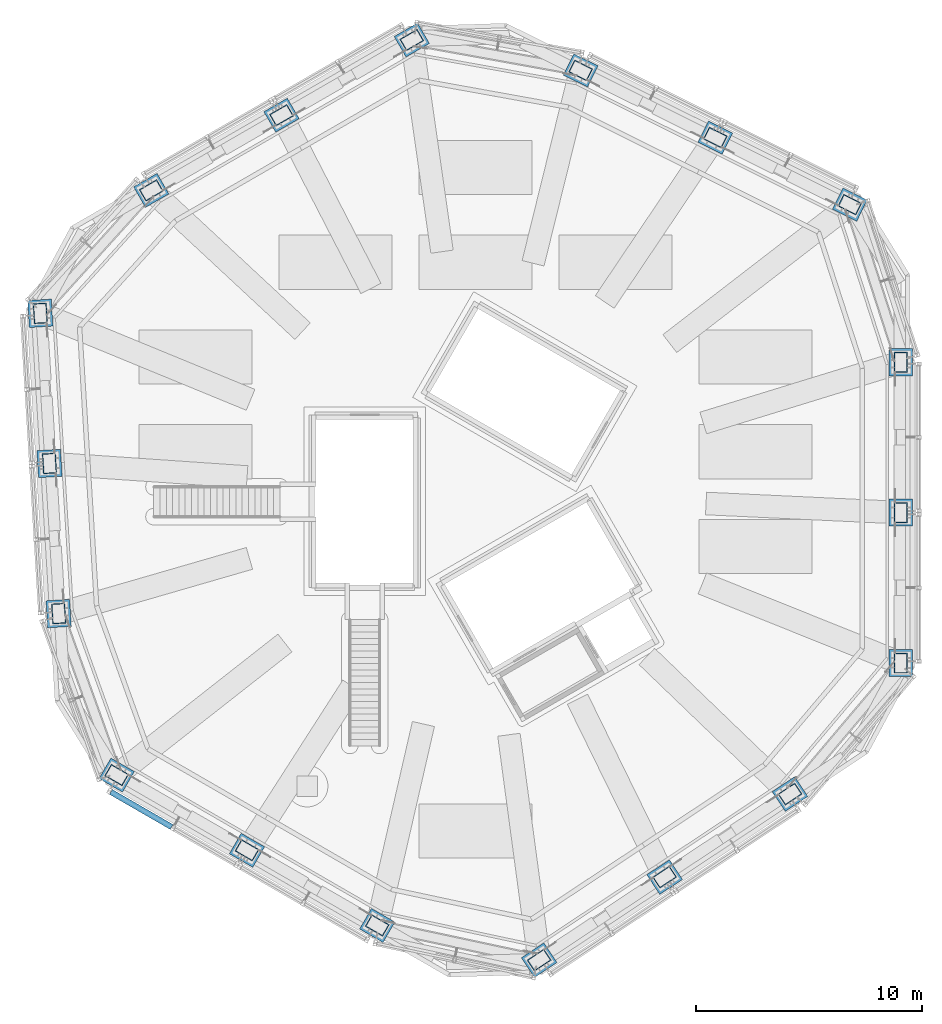
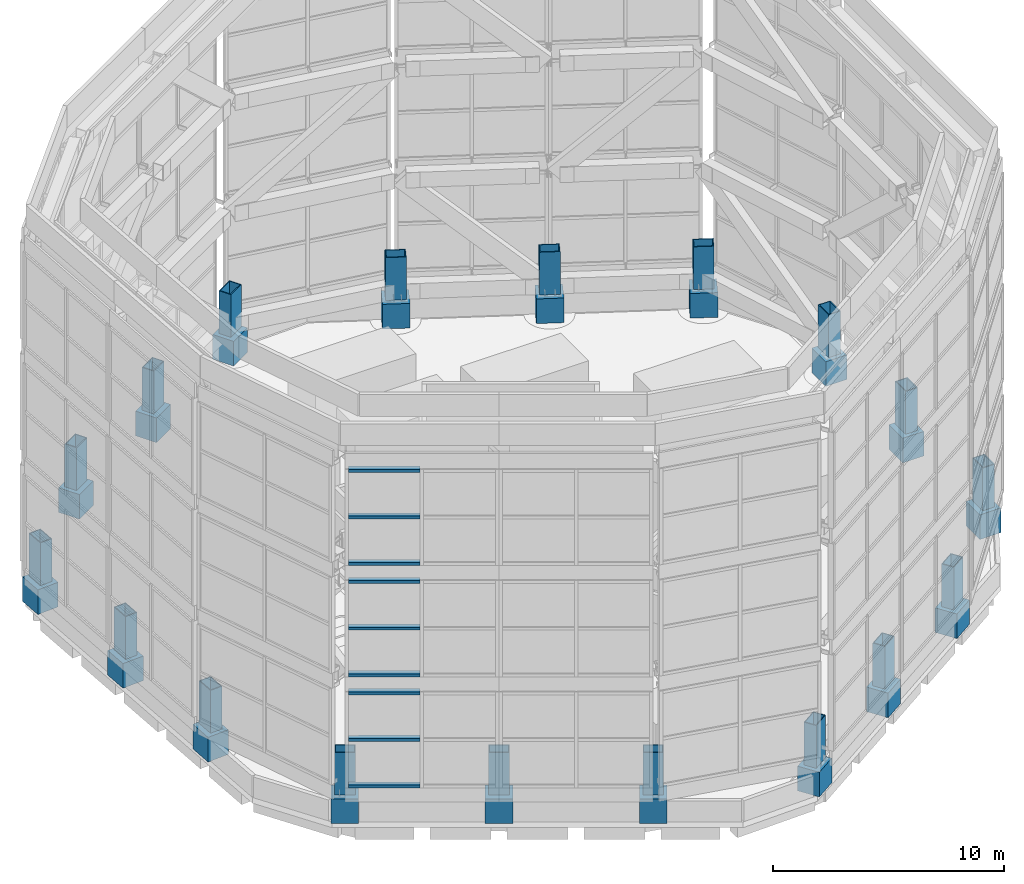
# One storey, part 1 of 46: 36 columns, 9 members, 3 elements without a shape of their own.
"""IFC4 building model written with IfcOpenShell, lengths in metres."""

import ifcopenshell
import ifcopenshell.guid

model = None  # the IFC model being written
_history = None  # IfcOwnerHistory: only IFC2X3 demands one
_inside = {}  # id of a spatial element -> (the spatial element, [elements in it])
_under = {}  # id of a project, library or spatial element -> (it, [spatial elements below it])
_declared = {}  # id of a project -> (the project, [libraries it declares])
_typed = {}  # id of a type object -> (the type object, [elements of that type])
_made_of = {}  # id of a material, layer set ... -> (it, [elements and type objects made of it])


def new_model(schema):
    """Start an empty IFC model of exactly this schema.

    Asked for "IFC4X3", IfcOpenShell would pick the latest addendum, in which some entities
    have other attributes; the version numbers below select the first issue.
    IFC2X3 requires an IfcOwnerHistory on every rooted entity: one is made here for all.
    """
    global model, _history
    if schema == "IFC4X3":
        model = ifcopenshell.file(schema_version=(4, 3, 0, 0))
    else:
        model = ifcopenshell.file(schema=schema)
    _inside.clear()
    _under.clear()
    _declared.clear()
    _typed.clear()
    _made_of.clear()
    _history = None
    if model.schema == "IFC2X3":
        org = make("IfcOrganization", Name="unknown")
        user = make(
            "IfcPersonAndOrganization",
            ThePerson=make("IfcPerson", FamilyName="unknown"),
            TheOrganization=org,
        )
        app = make(
            "IfcApplication",
            ApplicationDeveloper=org,
            Version="unknown",
            ApplicationFullName="unknown",
            ApplicationIdentifier="unknown",
        )
        _history = make(
            "IfcOwnerHistory",
            OwningUser=user,
            OwningApplication=app,
            ChangeAction="ADDED",
            CreationDate=0,
        )
    return model


def make(cls, **values):
    """One entity of the class cls with the attributes given. An attribute that is None is left unset."""
    return model.create_entity(
        cls, **{name: value for name, value in values.items() if value is not None}
    )


def rooted(cls, **values):
    """An entity with a GlobalId (a new one), such as an element, a storey or a relation."""
    return make(cls, GlobalId=ifcopenshell.guid.new(), OwnerHistory=_history, **values)


def si_unit(unit_type, name, prefix=None):
    """IfcSIUnit, for example si_unit("LENGTHUNIT", "METRE", prefix="MILLI")."""
    return make("IfcSIUnit", UnitType=unit_type, Prefix=prefix, Name=name)


def assignment(units):
    """IfcUnitAssignment: the units of a project."""
    return None if units is None else make("IfcUnitAssignment", Units=units)


def point(xyz):
    """IfcCartesianPoint."""
    return None if xyz is None else make("IfcCartesianPoint", Coordinates=xyz)


def direction(xyz):
    """IfcDirection."""
    return None if xyz is None else make("IfcDirection", DirectionRatios=xyz)


def frame(location, z_axis=None, x_axis=None):
    """IfcAxis2Placement3D, a coordinate frame: its origin and axes. An axis left out is left unset."""
    return make(
        "IfcAxis2Placement3D",
        Location=point(location),
        Axis=direction(z_axis),
        RefDirection=direction(x_axis),
    )


def frame_2d(location, x_axis=None):
    """IfcAxis2Placement2D, a coordinate frame in the plane: its origin and x axis."""
    return make(
        "IfcAxis2Placement2D", Location=point(location), RefDirection=direction(x_axis)
    )


def origin():
    """The frame at (0, 0, 0) with its axes left unset."""
    return frame((0.0, 0.0, 0.0))


def origin_2d():
    """The frame at (0, 0) in the plane with its x axis left unset."""
    return frame_2d((0.0, 0.0))


def place(relative_to, where):
    """IfcLocalPlacement: puts the frame where relative to a parent placement (None: the world)."""
    return make(
        "IfcLocalPlacement", PlacementRelTo=relative_to, RelativePlacement=where
    )


def context(
    kind, dimensions, precision=None, world=None, true_north=None, identifier=None
):
    """IfcGeometricRepresentationContext, for example the 3D "Model" context."""
    return make(
        "IfcGeometricRepresentationContext",
        ContextIdentifier=identifier,
        ContextType=kind,
        CoordinateSpaceDimension=dimensions,
        Precision=precision,
        WorldCoordinateSystem=world,
        TrueNorth=true_north,
    )


def subcontext(parent, identifier, kind, view, scale=None):
    """IfcGeometricRepresentationSubContext, for example "Body" below "Model"."""
    return make(
        "IfcGeometricRepresentationSubContext",
        ContextIdentifier=identifier,
        ContextType=kind,
        ParentContext=parent,
        TargetScale=scale,
        TargetView=view,
    )


def project(units=None, contexts=None):
    """IfcProject with its units and contexts."""
    return rooted(
        "IfcProject",
        Name="project",
        RepresentationContexts=contexts,
        UnitsInContext=assignment(units),
    )


def spatial(cls, under=None, at=None, **own):
    """A site, building, storey or space (cls), placed at a placement, below another one or the project."""
    s = rooted(cls, ObjectPlacement=at, **own)
    if under is not None:
        _under.setdefault(under.id(), (under, []))[1].append(s)
    return s


def profile(cls, at=None, kind="AREA", **sizes):
    """A parametric profile (cls). Its sizes go by their IFC names, for example OverallWidth=200.0."""
    return make(cls, ProfileType=kind, Position=at, **sizes)


def rectangle(**sizes):
    """IfcRectangleProfileDef."""
    return profile("IfcRectangleProfileDef", **sizes)


def hollow_rectangle(**sizes):
    """IfcRectangleHollowProfileDef."""
    return profile("IfcRectangleHollowProfileDef", **sizes)


def extrude(swept, where, along, depth):
    """IfcExtrudedAreaSolid: the profile swept, set in the frame where, extruded along a direction by depth."""
    return make(
        "IfcExtrudedAreaSolid",
        SweptArea=swept,
        Position=where,
        ExtrudedDirection=direction(along),
        Depth=depth,
    )


def shape(context_of_items, identifier, shape_type, items):
    """IfcShapeRepresentation: the items that make up one representation, for example the "Body"."""
    return make(
        "IfcShapeRepresentation",
        ContextOfItems=context_of_items,
        RepresentationIdentifier=identifier,
        RepresentationType=shape_type,
        Items=items,
    )


def material(Name=None, Category=None):
    """IfcMaterial."""
    return make("IfcMaterial", Name=Name, Category=Category)


def material_profile(
    of_material, cross_section, Name=None, Category=None, Priority=None
):
    """IfcMaterialProfile: a cross section and its material."""
    return make(
        "IfcMaterialProfile",
        Name=Name,
        Material=of_material,
        Profile=cross_section,
        Priority=Priority,
        Category=Category,
    )


def profile_set(profiles, Name=None, composite=None):
    """IfcMaterialProfileSet."""
    return make(
        "IfcMaterialProfileSet",
        Name=Name,
        MaterialProfiles=profiles,
        CompositeProfile=composite,
    )


def made_of(thing, what):
    """Note that an element or type object is made of a material, layer set ...; save() writes the relation."""
    if what is not None:
        _made_of.setdefault(what.id(), (what, []))[1].append(thing)
    return thing


def type_object(cls, material=None, **own):
    """A type object (cls), such as IfcWallType, which elements share."""
    return made_of(rooted(cls, **own), material)


def element(
    cls,
    number,
    at=None,
    inside=None,
    cuts=None,
    type_object=None,
    material=None,
    context=None,
    identifier="Body",
    shape_type=None,
    held_by="IfcProductDefinitionShape",
    body=None,
    shapes=None,
    **own,
):
    """One element of the class cls, such as IfcWall. Its Tag is "e" and its number.

    at: its placement. inside: the storey or other place that contains it. cuts: it is an
    opening in that element (IfcRelVoidsElement). A single representation is given by context,
    identifier, shape_type and body (its items); several are given by shapes. held_by: the class
    of the entity that holds the representations. save() writes the other relations.
    """
    e = rooted(cls, Tag="e%d" % number, ObjectPlacement=at, **own)
    if body is not None:
        shapes = [shape(context, identifier, shape_type, body)]
    if shapes is not None:
        e.Representation = make(held_by, Representations=shapes)
    if inside is not None:
        _inside.setdefault(inside.id(), (inside, []))[1].append(e)
    if cuts is not None:
        rooted(
            "IfcRelVoidsElement", RelatingBuildingElement=cuts, RelatedOpeningElement=e
        )
    if type_object is not None:
        _typed.setdefault(type_object.id(), (type_object, []))[1].append(e)
    return made_of(e, material)


def aggregate(whole, parts):
    """IfcRelAggregates: a whole, such as a stair, and the parts it consists of."""
    return rooted("IfcRelAggregates", RelatingObject=whole, RelatedObjects=parts)


def save(model, path):
    """Write the relations noted so far, then the file.

    IfcRelAggregates (storeys below a building ...), IfcRelContainedInSpatialStructure (elements
    in a storey), IfcRelDefinesByType, IfcRelAssociatesMaterial and IfcRelDeclares: one each for
    every whole, place, type object, material and project.
    """
    for whole, parts in _under.values():
        aggregate(whole, parts)
    for where, things in _inside.values():
        rooted(
            "IfcRelContainedInSpatialStructure",
            RelatedElements=things,
            RelatingStructure=where,
        )
    for kind, things in _typed.values():
        rooted("IfcRelDefinesByType", RelatedObjects=things, RelatingType=kind)
    for what, things in _made_of.values():
        rooted("IfcRelAssociatesMaterial", RelatedObjects=things, RelatingMaterial=what)
    for by, libraries in _declared.values():
        rooted("IfcRelDeclares", RelatingContext=by, RelatedDefinitions=libraries)
    model.write(path)


model = new_model("IFC4")

# Units and contexts
model_context = context("Model", 3, precision=1e-05, world=origin(), true_north=direction((0.0, 1.0)))
body_context = subcontext(model_context, "Body", "Model", "MODEL_VIEW")
ifc_project = project(units=[si_unit("LENGTHUNIT", "METRE"), si_unit("AREAUNIT", "SQUARE_METRE"), si_unit("VOLUMEUNIT", "CUBIC_METRE"), si_unit("PLANEANGLEUNIT", "RADIAN"), si_unit("MASSUNIT", "GRAM", prefix="KILO")], contexts=[model_context])

# Site, building, storey
site_placement = place(None, origin())
site = spatial("IfcSite", under=ifc_project, at=site_placement, CompositionType="ELEMENT")
building_placement = place(site_placement, origin())
building = spatial("IfcBuilding", under=site, at=building_placement, Name="Vanh Sen Convention Tower", CompositionType="ELEMENT")
storey_placement = place(building_placement, frame((0.0, 0.0, 305.0)))
storey = spatial("IfcBuildingStorey", under=building, at=storey_placement, Name="Roof level", CompositionType="ELEMENT", Elevation=305.0)

# Columns
ifc_material_1 = material(Name="Steel S460", Category="steel")
ifc_material_profile_1 = material_profile(ifc_material_1, hollow_rectangle(XDim=0.60009765625, YDim=0.89990234375, WallThickness=0.0400390625, at=origin_2d()), Name="BOX 900X600X40")
ifc_profile_set_1 = profile_set([ifc_material_profile_1], Name="Steel S460")
column_type_1 = type_object("IfcColumnType", Name="Crown column base stub BOX 900X600X40", PredefinedType="COLUMN", material=ifc_profile_set_1)
for number, where, z_axis, x_axis, name in (
    (1, (18.800048828125, -7.546630859375, 1.344970703125), (0.0, 0.0, 1.0), (-1.0, 0.0, 0.0), "CROWN FRAME column base 01"),
    (2, (18.800048828125, -0.88330078125, 1.344970703125), (0.0, 0.0, 1.0), (-1.0, 0.0, 0.0), "CROWN FRAME column base 02"),
    (3, (18.800048828125, 5.77978515625, 1.344970703125), (0.0, 0.0, 1.0), (-1.0, 0.0, 0.0), "CROWN FRAME column base 03"),
    (4, (16.542724609375, 12.75927734375, 1.344970703125), (0.0, 0.0, 1.0), (-0.44619781311, -0.894934361602, 0.0), "CROWN FRAME column base 04"),
    (5, (10.57958984375, 15.732421875, 1.344970703125), (0.0, 0.0, 1.0), (-0.44619781311, -0.894934361602, 0.0), "CROWN FRAME column base 05"),
    (6, (4.6162109375, 18.70556640625, 1.344970703125), (0.0, 0.0, 1.0), (-0.44619781311, -0.894934361602, 0.0), "CROWN FRAME column base 06"),
    (7, (-2.8642578125, 20.0546875, 1.344970703125), (0.0, 0.0, 1.0), (0.5, -0.866025403784, 0.0), "CROWN FRAME column base 07"),
    (8, (-8.635009765625, 16.722900390625, 1.344970703125), (0.0, 0.0, 1.0), (0.5, -0.866025403784, 0.0), "CROWN FRAME column base 08"),
    (9, (-14.405517578125, 13.391357421875, 1.344970703125), (0.0, 0.0, 1.0), (0.5, -0.866025403784, 0.0), "CROWN FRAME column base 09"),
    (10, (-19.3212890625, 7.94677734375, 1.344970703125), (0.0, 0.0, 1.0), (0.998134798422, 0.061048539535, 0.0), "CROWN FRAME column base 10"),
    (11, (-18.914306640625, 1.2958984375, 1.344970703125), (0.0, 0.0, 1.0), (0.998134798422, 0.061048539535, 0.0), "CROWN FRAME column base 11"),
    (12, (-18.507568359375, -5.35498046875, 1.344970703125), (0.0, 0.0, 1.0), (0.998134798422, 0.061048539535, 0.0), "CROWN FRAME column base 12"),
    (13, (-15.935791015625, -12.5078125, 1.344970703125), (0.0, 0.0, 1.0), (0.5, 0.866025403784, 0.0), "CROWN FRAME column base 13"),
    (14, (-10.1650390625, -15.839599609375, 1.344970703125), (0.0, 0.0, 1.0), (0.5, 0.866025403784, 0.0), "CROWN FRAME column base 14"),
    (15, (-4.39453125, -19.171142578125, 1.344970703125), (0.0, 0.0, 1.0), (0.5, 0.866025403784, 0.0), "CROWN FRAME column base 15"),
    (16, (2.7783203125, -20.7060546875, 1.344970703125), (0.0, 0.0, 1.0), (-0.551936985312, 0.833885822067, 0.0), "CROWN FRAME column base 16"),
    (17, (8.3349609375, -17.0283203125, 1.344970703125), (0.0, 0.0, 1.0), (-0.551936985312, 0.833885822067, 0.0), "CROWN FRAME column base 17"),
    (18, (13.891357421875, -13.3505859375, 1.344970703125), (0.0, 0.0, 1.0), (-0.551936985312, 0.833885822067, 0.0), "CROWN FRAME column base 18"),
):
    element("IfcColumn", number, at=place(storey_placement, frame(where, z_axis=z_axis, x_axis=x_axis)), inside=storey, type_object=column_type_1, Name=name, PredefinedType="COLUMN", context=body_context, shape_type="SweptSolid", body=[
        extrude(hollow_rectangle(XDim=0.60009765625, YDim=0.89990234375, WallThickness=0.0400390625, at=origin_2d()), origin(), (0.0, 0.0, 1.0), 2.255126953125),
    ])
ifc_material_2 = material(Name="Concrete C80/95", Category="concrete")
ifc_material_profile_2 = material_profile(ifc_material_2, rectangle(XDim=1.050048828125, YDim=1.199951171875, at=origin_2d()), Name="RC 1050X1200")
ifc_profile_set_2 = profile_set([ifc_material_profile_2], Name="Concrete C80/95")
column_type_2 = type_object("IfcColumnType", Name="Crown post pedestal 1050 x 1200", PredefinedType="COLUMN", material=ifc_profile_set_2)
for number, where, z_axis, x_axis, name in (
    (19, (18.800048828125, -7.546630859375, 0.0), (0.0, 0.0, 1.0), (-1.0, 0.0, 0.0), "CROWN POST PEDESTAL 01"),
    (20, (18.800048828125, -0.88330078125, 0.0), (0.0, 0.0, 1.0), (-1.0, 0.0, 0.0), "CROWN POST PEDESTAL 02"),
    (21, (18.800048828125, 5.77978515625, 0.0), (0.0, 0.0, 1.0), (-1.0, 0.0, 0.0), "CROWN POST PEDESTAL 03"),
    (22, (16.542724609375, 12.75927734375, 0.0), (0.0, 0.0, 1.0), (-0.44619781311, -0.894934361602, 0.0), "CROWN POST PEDESTAL 04"),
    (23, (10.57958984375, 15.732421875, 0.0), (0.0, 0.0, 1.0), (-0.44619781311, -0.894934361602, 0.0), "CROWN POST PEDESTAL 05"),
    (24, (4.6162109375, 18.70556640625, 0.0), (0.0, 0.0, 1.0), (-0.44619781311, -0.894934361602, 0.0), "CROWN POST PEDESTAL 06"),
    (25, (-2.8642578125, 20.0546875, 0.0), (0.0, 0.0, 1.0), (0.5, -0.866025403784, 0.0), "CROWN POST PEDESTAL 07"),
    (26, (-8.635009765625, 16.722900390625, 0.0), (0.0, 0.0, 1.0), (0.5, -0.866025403784, 0.0), "CROWN POST PEDESTAL 08"),
    (27, (-14.405517578125, 13.391357421875, 0.0), (0.0, 0.0, 1.0), (0.5, -0.866025403784, 0.0), "CROWN POST PEDESTAL 09"),
    (28, (-19.3212890625, 7.94677734375, 0.0), (0.0, 0.0, 1.0), (0.998134798422, 0.061048539535, 0.0), "CROWN POST PEDESTAL 10"),
    (29, (-18.914306640625, 1.2958984375, 0.0), (0.0, 0.0, 1.0), (0.998134798422, 0.061048539535, 0.0), "CROWN POST PEDESTAL 11"),
    (30, (-18.507568359375, -5.35498046875, 0.0), (0.0, 0.0, 1.0), (0.998134798422, 0.061048539535, 0.0), "CROWN POST PEDESTAL 12"),
    (31, (-15.935791015625, -12.5078125, 0.0), (0.0, 0.0, 1.0), (0.5, 0.866025403784, 0.0), "CROWN POST PEDESTAL 13"),
    (32, (-10.1650390625, -15.839599609375, 0.0), (0.0, 0.0, 1.0), (0.5, 0.866025403784, 0.0), "CROWN POST PEDESTAL 14"),
    (33, (-4.39453125, -19.171142578125, 0.0), (0.0, 0.0, 1.0), (0.5, 0.866025403784, 0.0), "CROWN POST PEDESTAL 15"),
    (34, (2.7783203125, -20.7060546875, 0.0), (0.0, 0.0, 1.0), (-0.551936985312, 0.833885822067, 0.0), "CROWN POST PEDESTAL 16"),
    (35, (8.3349609375, -17.0283203125, 0.0), (0.0, 0.0, 1.0), (-0.551936985312, 0.833885822067, 0.0), "CROWN POST PEDESTAL 17"),
    (36, (13.891357421875, -13.3505859375, 0.0), (0.0, 0.0, 1.0), (-0.551936985312, 0.833885822067, 0.0), "CROWN POST PEDESTAL 18"),
):
    element("IfcColumn", number, at=place(storey_placement, frame(where, z_axis=z_axis, x_axis=x_axis)), inside=storey, type_object=column_type_2, Name=name, PredefinedType="COLUMN", context=body_context, shape_type="SweptSolid", body=[
        extrude(rectangle(XDim=1.050048828125, YDim=1.199951171875, at=origin_2d()), origin(), (0.0, 0.0, 1.0), 1.300048828125),
    ])

# Curtain wall, members
ifc_material_3 = material(Name="Concrete C60/75", Category="concrete")
curtain_wall_type = type_object("IfcCurtainWallType", Name="Crown screen", PredefinedType="NOTDEFINED", material=ifc_material_3)
curtain_wall_1_placement = place(storey_placement, origin())
curtain_wall_1 = element("IfcCurtainWall", 37, at=curtain_wall_1_placement, inside=storey, type_object=curtain_wall_type, Name="CROWN SCREEN 13 tier 1", PredefinedType="NOTDEFINED")
ifc_material_4 = material(Name="Steel S355", Category="steel")
ifc_material_profile_3 = material_profile(ifc_material_4, hollow_rectangle(XDim=0.25, YDim=0.14990234375, WallThickness=0.008056640625, at=origin_2d()), Name="RHS 250X150X8")
ifc_profile_set_3 = profile_set([ifc_material_profile_3], Name="Steel S355")
member_type = type_object("IfcMemberType", Name="Crown screen transom RHS 250X150X8", PredefinedType="USERDEFINED", material=ifc_profile_set_3)
member_1_placement = place(storey_placement, frame((-16.193359375, -13.254150390625, 2.219970703125), z_axis=(0.866039014152, -0.499976425411, 0.0), x_axis=(0.499976425411, 0.866039014152, 0.0)))
member_1 = element("IfcMember", 38, at=member_1_placement, type_object=member_type, Name="CROWN SCREEN6 transom 1.1", ObjectType="TRANSOM", PredefinedType="USERDEFINED", context=body_context, shape_type="SweptSolid", body=[
    extrude(hollow_rectangle(XDim=0.25, YDim=0.14990234375, WallThickness=0.008056640625, at=origin_2d()), origin(), (0.0, 0.0, 1.0), 3.106689453125),
])
member_2_placement = place(storey_placement, frame((-16.193359375, -13.254150390625, 4.67919921875), z_axis=(0.866039014152, -0.499976425411, 0.0), x_axis=(0.499976425411, 0.866039014152, 0.0)))
member_2 = element("IfcMember", 39, at=member_2_placement, type_object=member_type, Name="CROWN SCREEN6 transom 1.2", ObjectType="TRANSOM", PredefinedType="USERDEFINED", context=body_context, shape_type="SweptSolid", body=[
    extrude(hollow_rectangle(XDim=0.25, YDim=0.14990234375, WallThickness=0.008056640625, at=origin_2d()), origin(), (0.0, 0.0, 1.0), 3.106689453125),
])
member_3_placement = place(storey_placement, frame((-16.193359375, -13.254150390625, 7.13818359375), z_axis=(0.866039014152, -0.499976425411, 0.0), x_axis=(0.499976425411, 0.866039014152, 0.0)))
member_3 = element("IfcMember", 40, at=member_3_placement, type_object=member_type, Name="CROWN SCREEN6 transom 1.3", ObjectType="TRANSOM", PredefinedType="USERDEFINED", context=body_context, shape_type="SweptSolid", body=[
    extrude(hollow_rectangle(XDim=0.25, YDim=0.14990234375, WallThickness=0.008056640625, at=origin_2d()), origin(), (0.0, 0.0, 1.0), 3.106689453125),
])
aggregate(curtain_wall_1, [member_1, member_2, member_3])

curtain_wall_2_placement = place(storey_placement, origin())
curtain_wall_2 = element("IfcCurtainWall", 41, at=curtain_wall_2_placement, inside=storey, type_object=curtain_wall_type, Name="CROWN SCREEN 13 tier 2", PredefinedType="NOTDEFINED")
member_4_placement = place(storey_placement, frame((-16.193359375, -13.254150390625, 8.08837890625), z_axis=(0.866039014152, -0.499976425411, 0.0), x_axis=(0.499976425411, 0.866039014152, 0.0)))
member_4 = element("IfcMember", 42, at=member_4_placement, type_object=member_type, Name="CROWN SCREEN6 transom 1.1", ObjectType="TRANSOM", PredefinedType="USERDEFINED", context=body_context, shape_type="SweptSolid", body=[
    extrude(hollow_rectangle(XDim=0.25, YDim=0.14990234375, WallThickness=0.008056640625, at=origin_2d()), origin(), (0.0, 0.0, 1.0), 3.106689453125),
])
member_5_placement = place(storey_placement, frame((-16.193359375, -13.254150390625, 10.547607421875), z_axis=(0.866039014152, -0.499976425411, 0.0), x_axis=(0.499976425411, 0.866039014152, 0.0)))
member_5 = element("IfcMember", 43, at=member_5_placement, type_object=member_type, Name="CROWN SCREEN6 transom 1.2", ObjectType="TRANSOM", PredefinedType="USERDEFINED", context=body_context, shape_type="SweptSolid", body=[
    extrude(hollow_rectangle(XDim=0.25, YDim=0.14990234375, WallThickness=0.008056640625, at=origin_2d()), origin(), (0.0, 0.0, 1.0), 3.106689453125),
])
member_6_placement = place(storey_placement, frame((-16.193359375, -13.254150390625, 13.006591796875), z_axis=(0.866039014152, -0.499976425411, 0.0), x_axis=(0.499976425411, 0.866039014152, 0.0)))
member_6 = element("IfcMember", 44, at=member_6_placement, type_object=member_type, Name="CROWN SCREEN6 transom 1.3", ObjectType="TRANSOM", PredefinedType="USERDEFINED", context=body_context, shape_type="SweptSolid", body=[
    extrude(hollow_rectangle(XDim=0.25, YDim=0.14990234375, WallThickness=0.008056640625, at=origin_2d()), origin(), (0.0, 0.0, 1.0), 3.106689453125),
])
aggregate(curtain_wall_2, [member_4, member_5, member_6])

curtain_wall_3_placement = place(storey_placement, origin())
curtain_wall_3 = element("IfcCurtainWall", 45, at=curtain_wall_3_placement, inside=storey, type_object=curtain_wall_type, Name="CROWN SCREEN 13 tier 3", PredefinedType="NOTDEFINED")
member_7_placement = place(storey_placement, frame((-16.193359375, -13.254150390625, 13.956787109375), z_axis=(0.866039014152, -0.499976425411, 0.0), x_axis=(0.499976425411, 0.866039014152, 0.0)))
member_7 = element("IfcMember", 46, at=member_7_placement, type_object=member_type, Name="CROWN SCREEN6 transom 1.1", ObjectType="TRANSOM", PredefinedType="USERDEFINED", context=body_context, shape_type="SweptSolid", body=[
    extrude(hollow_rectangle(XDim=0.25, YDim=0.14990234375, WallThickness=0.008056640625, at=origin_2d()), origin(), (0.0, 0.0, 1.0), 3.106689453125),
])
member_8_placement = place(storey_placement, frame((-16.193359375, -13.254150390625, 16.415771484375), z_axis=(0.866039014152, -0.499976425411, 0.0), x_axis=(0.499976425411, 0.866039014152, 0.0)))
member_8 = element("IfcMember", 47, at=member_8_placement, type_object=member_type, Name="CROWN SCREEN6 transom 1.2", ObjectType="TRANSOM", PredefinedType="USERDEFINED", context=body_context, shape_type="SweptSolid", body=[
    extrude(hollow_rectangle(XDim=0.25, YDim=0.14990234375, WallThickness=0.008056640625, at=origin_2d()), origin(), (0.0, 0.0, 1.0), 3.106689453125),
])
member_9_placement = place(storey_placement, frame((-16.193359375, -13.254150390625, 18.875), z_axis=(0.866039014152, -0.499976425411, 0.0), x_axis=(0.499976425411, 0.866039014152, 0.0)))
member_9 = element("IfcMember", 48, at=member_9_placement, type_object=member_type, Name="CROWN SCREEN6 transom 1.3", ObjectType="TRANSOM", PredefinedType="USERDEFINED", context=body_context, shape_type="SweptSolid", body=[
    extrude(hollow_rectangle(XDim=0.25, YDim=0.14990234375, WallThickness=0.008056640625, at=origin_2d()), origin(), (0.0, 0.0, 1.0), 3.106689453125),
])
aggregate(curtain_wall_3, [member_7, member_8, member_9])

save(model, "model.ifc")
